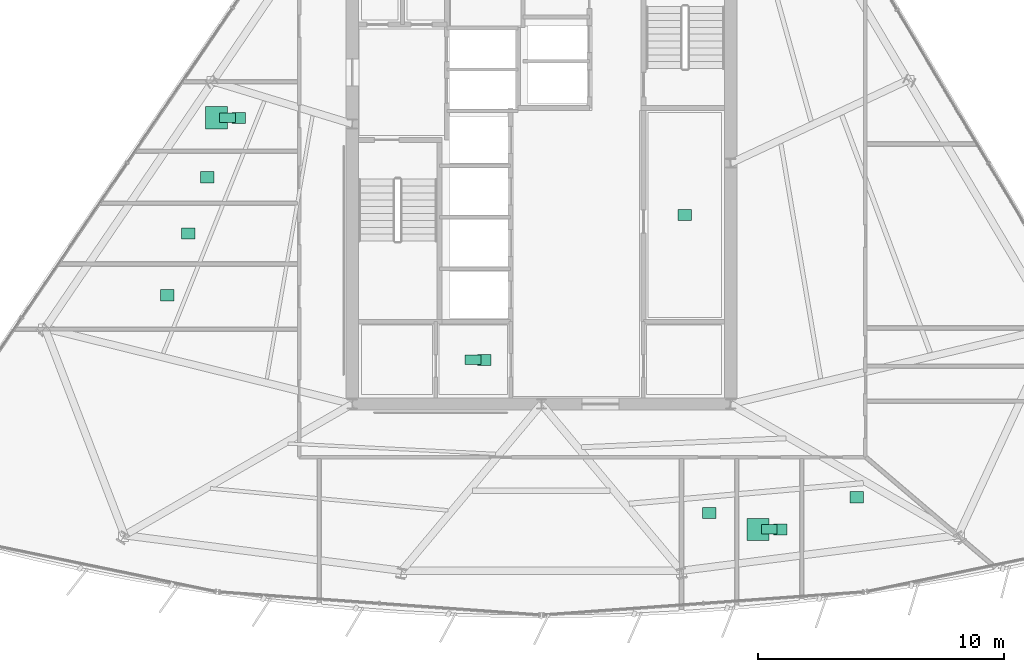
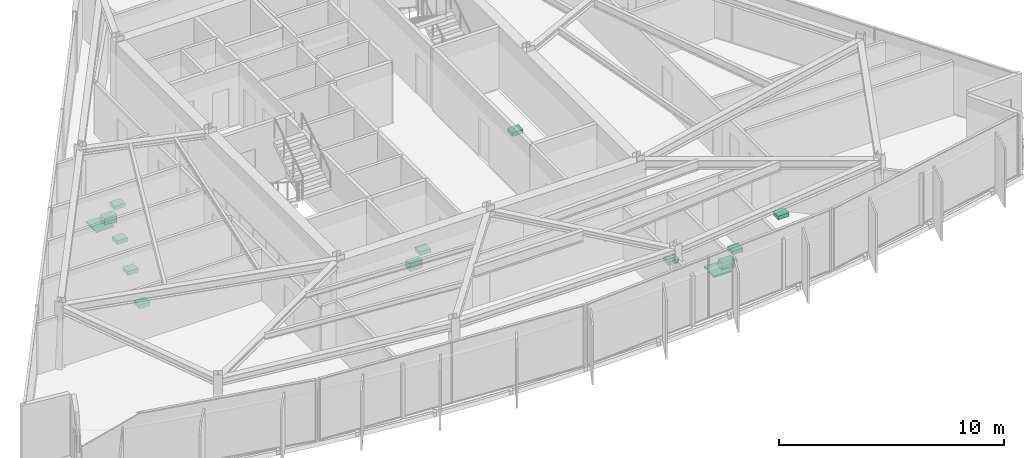
# One storey, part 15 of 15: 14 sanitary terminals.
"""IFC4 building model written with IfcOpenShell, lengths in metres."""

from ifc_helpers import new_model, si_unit, direction, frame, origin, origin_2d, place, context, subcontext, project, spatial, rectangle, extrude, material, type_object, element, save


model = new_model("IFC4")

# Units and contexts
model_context = context("Model", 3, precision=1e-05, world=origin(), true_north=direction((0.0, 1.0)))
body_context = subcontext(model_context, "Body", "Model", "MODEL_VIEW")
ifc_project = project(units=[si_unit("LENGTHUNIT", "METRE"), si_unit("AREAUNIT", "SQUARE_METRE"), si_unit("VOLUMEUNIT", "CUBIC_METRE"), si_unit("PLANEANGLEUNIT", "RADIAN"), si_unit("MASSUNIT", "GRAM", prefix="KILO")], contexts=[model_context])

# Site, building, storey
site_placement = place(None, origin())
site = spatial("IfcSite", under=ifc_project, at=site_placement, CompositionType="ELEMENT")
building_placement = place(site_placement, origin())
building = spatial("IfcBuilding", under=site, at=building_placement, Name="Savorim Split Tower", CompositionType="ELEMENT")
storey_placement = place(building_placement, frame((0.0, 0.0, 194.699951171875)))
storey = spatial("IfcBuildingStorey", under=building, at=storey_placement, Name="L51", CompositionType="ELEMENT", Elevation=194.699951171875)

# Sanitary terminals
ifc_material = material(Name="Vitreous China Sanitaryware")
sanitary_terminal_type_1 = type_object("IfcSanitaryTerminalType", Name="SAN-SHW-900", PredefinedType="SHOWER", material=ifc_material)
for number, where, z_axis, x_axis, name in (
    (1, (8.82177734375, -14.49951171875, 0.0), (0.0, 0.0, 1.0), (1.0, 0.0, 0.0), "L51 Shared Bathroom Shower"),
    (2, (-13.217529296875, 2.2490234375, 0.0), (0.0, 0.0, 1.0), (1.0, 0.0, 0.0), "L51 Shared Bathroom Shower"),
):
    element("IfcSanitaryTerminal", number, at=place(storey_placement, frame(where, z_axis=z_axis, x_axis=x_axis)), inside=storey, type_object=sanitary_terminal_type_1, Name=name, PredefinedType="SHOWER", context=body_context, shape_type="SweptSolid", body=[
        extrude(rectangle(XDim=0.89990234375, YDim=0.89990234375, at=origin_2d()), origin(), (0.0, 0.0, 1.0), 0.080078125),
    ])
sanitary_terminal_type_2 = type_object("IfcSanitaryTerminalType", Name="SAN-WC-PAN", PredefinedType="TOILETPAN", material=ifc_material)
for number, where, z_axis, x_axis, name in (
    (3, (-2.77490234375, -7.60009765625, 0.0), (0.0, 0.0, 1.0), (1.0, 0.0, 0.0), "L51 Accessible WC WC Pan"),
    (4, (9.271728515625, -14.49951171875, 0.0), (0.0, 0.0, 1.0), (1.0, 0.0, 0.0), "L51 Shared Bathroom WC Pan"),
    (5, (-12.767578125, 2.2490234375, 0.0), (0.0, 0.0, 1.0), (1.0, 0.0, 0.0), "L51 Shared Bathroom WC Pan"),
):
    element("IfcSanitaryTerminal", number, at=place(storey_placement, frame(where, z_axis=z_axis, x_axis=x_axis)), inside=storey, type_object=sanitary_terminal_type_2, Name=name, PredefinedType="TOILETPAN", context=body_context, shape_type="SweptSolid", body=[
        extrude(rectangle(XDim=0.64990234375, YDim=0.3798828125, at=origin_2d()), origin(), (0.0, 0.0, 1.0), 0.419921875),
    ])
sanitary_terminal_type_3 = type_object("IfcSanitaryTerminalType", Name="SAN-WHB-550", PredefinedType="WASHHANDBASIN", material=ifc_material)
for number, where, z_axis, x_axis, name in (
    (6, (5.824951171875, -1.699951171875, 0.75), (0.0, 0.0, 1.0), (1.0, 0.0, 0.0), "L51 Community Laundry Room Utility Sink"),
    (7, (-2.324951171875, -7.60009765625, 0.72021484375), (0.0, 0.0, 1.0), (1.0, 0.0, 0.0), "L51 Accessible WC Washhand Basin"),
    (8, (-13.59033203125, -0.169921875, 0.75), (0.0, 0.0, 1.0), (1.0, 0.0, 0.0), "L51 Shared Kitchen Utility Sink"),
    (9, (-14.37158203125, -2.466552734375, 0.75), (0.0, 0.0, 1.0), (1.0, 0.0, 0.0), "L51 Community Laundry Room Utility Sink"),
    (10, (-15.22412109375, -4.973388671875, 0.75), (0.0, 0.0, 1.0), (1.0, 0.0, 0.0), "L51 Shared Kitchen Utility Sink"),
    (11, (6.8251953125, -13.834228515625, 0.75), (0.0, 0.0, 1.0), (1.0, 0.0, 0.0), "L51 Shared Kitchen Utility Sink"),
    (12, (9.7216796875, -14.49951171875, 0.72021484375), (0.0, 0.0, 1.0), (1.0, 0.0, 0.0), "L51 Shared Bathroom Washhand Basin"),
    (13, (12.82958984375, -13.194091796875, 0.75), (0.0, 0.0, 1.0), (1.0, 0.0, 0.0), "L51 Shared Kitchen Utility Sink"),
    (14, (-12.3173828125, 2.2490234375, 0.72021484375), (0.0, 0.0, 1.0), (1.0, 0.0, 0.0), "L51 Shared Bathroom Washhand Basin"),
):
    element("IfcSanitaryTerminal", number, at=place(storey_placement, frame(where, z_axis=z_axis, x_axis=x_axis)), inside=storey, type_object=sanitary_terminal_type_3, Name=name, PredefinedType="WASHHANDBASIN", context=body_context, shape_type="SweptSolid", body=[
        extrude(rectangle(XDim=0.550048828125, YDim=0.449951171875, at=origin_2d()), origin(), (0.0, 0.0, 1.0), 0.199951171875),
    ])

save(model, "model.ifc")
